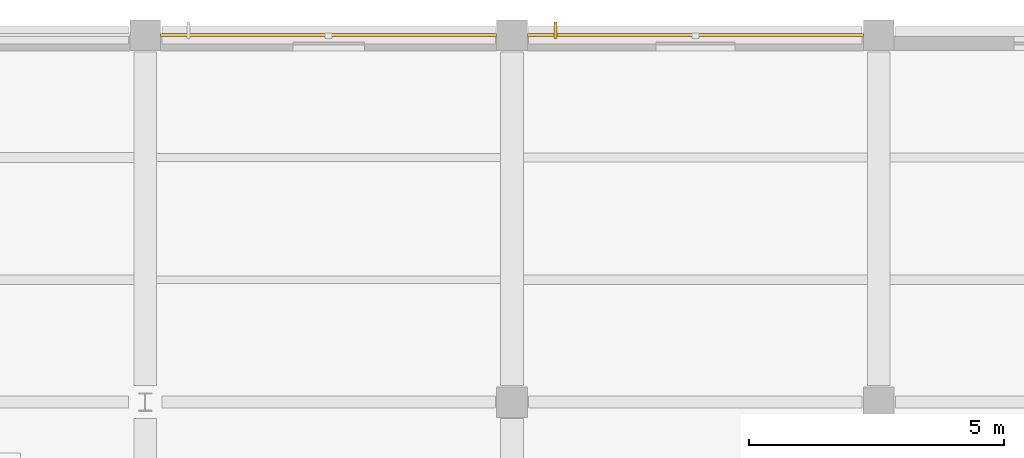
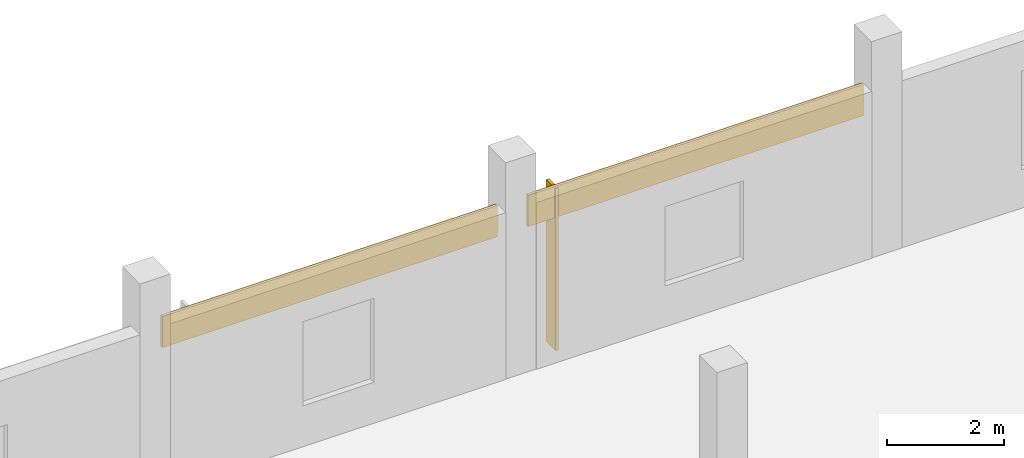
# One storey, part 118 of 123: 2 coverings, 1 shading device.
"""IFC4 building model written with IfcOpenShell, lengths in metres."""

import ifcopenshell
import ifcopenshell.guid

model = None  # the IFC model being written
_history = None  # IfcOwnerHistory: only IFC2X3 demands one
_inside = {}  # id of a spatial element -> (the spatial element, [elements in it])
_under = {}  # id of a project, library or spatial element -> (it, [spatial elements below it])
_declared = {}  # id of a project -> (the project, [libraries it declares])
_typed = {}  # id of a type object -> (the type object, [elements of that type])
_made_of = {}  # id of a material, layer set ... -> (it, [elements and type objects made of it])


def new_model(schema):
    """Start an empty IFC model of exactly this schema.

    Asked for "IFC4X3", IfcOpenShell would pick the latest addendum, in which some entities
    have other attributes; the version numbers below select the first issue.
    IFC2X3 requires an IfcOwnerHistory on every rooted entity: one is made here for all.
    """
    global model, _history
    if schema == "IFC4X3":
        model = ifcopenshell.file(schema_version=(4, 3, 0, 0))
    else:
        model = ifcopenshell.file(schema=schema)
    _inside.clear()
    _under.clear()
    _declared.clear()
    _typed.clear()
    _made_of.clear()
    _history = None
    if model.schema == "IFC2X3":
        org = make("IfcOrganization", Name="unknown")
        user = make(
            "IfcPersonAndOrganization",
            ThePerson=make("IfcPerson", FamilyName="unknown"),
            TheOrganization=org,
        )
        app = make(
            "IfcApplication",
            ApplicationDeveloper=org,
            Version="unknown",
            ApplicationFullName="unknown",
            ApplicationIdentifier="unknown",
        )
        _history = make(
            "IfcOwnerHistory",
            OwningUser=user,
            OwningApplication=app,
            ChangeAction="ADDED",
            CreationDate=0,
        )
    return model


def make(cls, **values):
    """One entity of the class cls with the attributes given. An attribute that is None is left unset."""
    return model.create_entity(
        cls, **{name: value for name, value in values.items() if value is not None}
    )


def rooted(cls, **values):
    """An entity with a GlobalId (a new one), such as an element, a storey or a relation."""
    return make(cls, GlobalId=ifcopenshell.guid.new(), OwnerHistory=_history, **values)


def si_unit(unit_type, name, prefix=None):
    """IfcSIUnit, for example si_unit("LENGTHUNIT", "METRE", prefix="MILLI")."""
    return make("IfcSIUnit", UnitType=unit_type, Prefix=prefix, Name=name)


def assignment(units):
    """IfcUnitAssignment: the units of a project."""
    return None if units is None else make("IfcUnitAssignment", Units=units)


def point(xyz):
    """IfcCartesianPoint."""
    return None if xyz is None else make("IfcCartesianPoint", Coordinates=xyz)


def direction(xyz):
    """IfcDirection."""
    return None if xyz is None else make("IfcDirection", DirectionRatios=xyz)


def frame(location, z_axis=None, x_axis=None):
    """IfcAxis2Placement3D, a coordinate frame: its origin and axes. An axis left out is left unset."""
    return make(
        "IfcAxis2Placement3D",
        Location=point(location),
        Axis=direction(z_axis),
        RefDirection=direction(x_axis),
    )


def frame_2d(location, x_axis=None):
    """IfcAxis2Placement2D, a coordinate frame in the plane: its origin and x axis."""
    return make(
        "IfcAxis2Placement2D", Location=point(location), RefDirection=direction(x_axis)
    )


def origin():
    """The frame at (0, 0, 0) with its axes left unset."""
    return frame((0.0, 0.0, 0.0))


def origin_2d():
    """The frame at (0, 0) in the plane with its x axis left unset."""
    return frame_2d((0.0, 0.0))


def place(relative_to, where):
    """IfcLocalPlacement: puts the frame where relative to a parent placement (None: the world)."""
    return make(
        "IfcLocalPlacement", PlacementRelTo=relative_to, RelativePlacement=where
    )


def context(
    kind, dimensions, precision=None, world=None, true_north=None, identifier=None
):
    """IfcGeometricRepresentationContext, for example the 3D "Model" context."""
    return make(
        "IfcGeometricRepresentationContext",
        ContextIdentifier=identifier,
        ContextType=kind,
        CoordinateSpaceDimension=dimensions,
        Precision=precision,
        WorldCoordinateSystem=world,
        TrueNorth=true_north,
    )


def subcontext(parent, identifier, kind, view, scale=None):
    """IfcGeometricRepresentationSubContext, for example "Body" below "Model"."""
    return make(
        "IfcGeometricRepresentationSubContext",
        ContextIdentifier=identifier,
        ContextType=kind,
        ParentContext=parent,
        TargetScale=scale,
        TargetView=view,
    )


def project(units=None, contexts=None):
    """IfcProject with its units and contexts."""
    return rooted(
        "IfcProject",
        Name="project",
        RepresentationContexts=contexts,
        UnitsInContext=assignment(units),
    )


def spatial(cls, under=None, at=None, **own):
    """A site, building, storey or space (cls), placed at a placement, below another one or the project."""
    s = rooted(cls, ObjectPlacement=at, **own)
    if under is not None:
        _under.setdefault(under.id(), (under, []))[1].append(s)
    return s


def profile(cls, at=None, kind="AREA", **sizes):
    """A parametric profile (cls). Its sizes go by their IFC names, for example OverallWidth=200.0."""
    return make(cls, ProfileType=kind, Position=at, **sizes)


def rectangle(**sizes):
    """IfcRectangleProfileDef."""
    return profile("IfcRectangleProfileDef", **sizes)


def extrude(swept, where, along, depth):
    """IfcExtrudedAreaSolid: the profile swept, set in the frame where, extruded along a direction by depth."""
    return make(
        "IfcExtrudedAreaSolid",
        SweptArea=swept,
        Position=where,
        ExtrudedDirection=direction(along),
        Depth=depth,
    )


def shape(context_of_items, identifier, shape_type, items):
    """IfcShapeRepresentation: the items that make up one representation, for example the "Body"."""
    return make(
        "IfcShapeRepresentation",
        ContextOfItems=context_of_items,
        RepresentationIdentifier=identifier,
        RepresentationType=shape_type,
        Items=items,
    )


def material(Name=None, Category=None):
    """IfcMaterial."""
    return make("IfcMaterial", Name=Name, Category=Category)


def layer(
    of_material, thickness, ventilated=None, Name=None, Category=None, Priority=None
):
    """IfcMaterialLayer: one layer of a wall or slab, of a material (None: an air gap)."""
    return make(
        "IfcMaterialLayer",
        Material=of_material,
        LayerThickness=thickness,
        IsVentilated=ventilated,
        Name=Name,
        Category=Category,
        Priority=Priority,
    )


def layer_set(layers, Name=None):
    """IfcMaterialLayerSet."""
    return make("IfcMaterialLayerSet", MaterialLayers=layers, LayerSetName=Name)


def made_of(thing, what):
    """Note that an element or type object is made of a material, layer set ...; save() writes the relation."""
    if what is not None:
        _made_of.setdefault(what.id(), (what, []))[1].append(thing)
    return thing


def type_object(cls, material=None, **own):
    """A type object (cls), such as IfcWallType, which elements share."""
    return made_of(rooted(cls, **own), material)


def element(
    cls,
    number,
    at=None,
    inside=None,
    cuts=None,
    type_object=None,
    material=None,
    context=None,
    identifier="Body",
    shape_type=None,
    held_by="IfcProductDefinitionShape",
    body=None,
    shapes=None,
    **own,
):
    """One element of the class cls, such as IfcWall. Its Tag is "e" and its number.

    at: its placement. inside: the storey or other place that contains it. cuts: it is an
    opening in that element (IfcRelVoidsElement). A single representation is given by context,
    identifier, shape_type and body (its items); several are given by shapes. held_by: the class
    of the entity that holds the representations. save() writes the other relations.
    """
    e = rooted(cls, Tag="e%d" % number, ObjectPlacement=at, **own)
    if body is not None:
        shapes = [shape(context, identifier, shape_type, body)]
    if shapes is not None:
        e.Representation = make(held_by, Representations=shapes)
    if inside is not None:
        _inside.setdefault(inside.id(), (inside, []))[1].append(e)
    if cuts is not None:
        rooted(
            "IfcRelVoidsElement", RelatingBuildingElement=cuts, RelatedOpeningElement=e
        )
    if type_object is not None:
        _typed.setdefault(type_object.id(), (type_object, []))[1].append(e)
    return made_of(e, material)


def aggregate(whole, parts):
    """IfcRelAggregates: a whole, such as a stair, and the parts it consists of."""
    return rooted("IfcRelAggregates", RelatingObject=whole, RelatedObjects=parts)


def save(model, path):
    """Write the relations noted so far, then the file.

    IfcRelAggregates (storeys below a building ...), IfcRelContainedInSpatialStructure (elements
    in a storey), IfcRelDefinesByType, IfcRelAssociatesMaterial and IfcRelDeclares: one each for
    every whole, place, type object, material and project.
    """
    for whole, parts in _under.values():
        aggregate(whole, parts)
    for where, things in _inside.values():
        rooted(
            "IfcRelContainedInSpatialStructure",
            RelatedElements=things,
            RelatingStructure=where,
        )
    for kind, things in _typed.values():
        rooted("IfcRelDefinesByType", RelatedObjects=things, RelatingType=kind)
    for what, things in _made_of.values():
        rooted("IfcRelAssociatesMaterial", RelatedObjects=things, RelatingMaterial=what)
    for by, libraries in _declared.values():
        rooted("IfcRelDeclares", RelatingContext=by, RelatedDefinitions=libraries)
    model.write(path)


model = new_model("IFC4")

# Units and contexts
model_context = context("Model", 3, precision=1e-05, world=origin(), true_north=direction((0.0, 1.0)))
body_context = subcontext(model_context, "Body", "Model", "MODEL_VIEW")
ifc_project = project(units=[si_unit("LENGTHUNIT", "METRE"), si_unit("AREAUNIT", "SQUARE_METRE"), si_unit("VOLUMEUNIT", "CUBIC_METRE"), si_unit("PLANEANGLEUNIT", "RADIAN"), si_unit("MASSUNIT", "GRAM", prefix="KILO")], contexts=[model_context])

# Site, building, storey
site_placement = place(None, origin())
site = spatial("IfcSite", under=ifc_project, at=site_placement, CompositionType="ELEMENT")
building_placement = place(site_placement, origin())
building = spatial("IfcBuilding", under=site, at=building_placement, Name="Kalmorath City Hall", CompositionType="ELEMENT")
storey_placement = place(building_placement, frame((0.0, 0.0, 10.199951171875)))
storey = spatial("IfcBuildingStorey", under=building, at=storey_placement, Name="L02", CompositionType="ELEMENT", Elevation=10.199951171875)

# Shading device
ifc_material_1 = material(Name="Bronze anodised aluminium", Category="aluminium")
ifc_layer_1 = layer(ifc_material_1, 0.06005859375)
ifc_layer_set_1 = layer_set([ifc_layer_1], Name="Bronze anodised aluminium")
shading_device_type = type_object("IfcShadingDeviceType", Name="Bronze vertical solar fin 320", PredefinedType="USERDEFINED", material=ifc_layer_set_1)
shading_device_placement = place(storey_placement, frame((116.051025390625, 115.300048828125, 0.050048828125), z_axis=(0.0, 0.0, 1.0), x_axis=(1.0, 0.0, 0.0)))
element("IfcShadingDevice", 1, at=shading_device_placement, inside=storey, type_object=shading_device_type, Name="L02 bronze solar fin #237", ObjectType="FIN", PredefinedType="USERDEFINED", context=body_context, shape_type="SweptSolid", body=[
    extrude(rectangle(XDim=0.06005859375, YDim=0.320068359375, at=origin_2d()), origin(), (0.0, 0.0, 1.0), 3.37109375),
])

# Coverings
ifc_material_2 = material(Name="Volcanic basalt stone cladding", Category="masonry")
ifc_layer_2 = layer(ifc_material_2, 0.06005859375)
ifc_layer_set_2 = layer_set([ifc_layer_2], Name="Volcanic basalt stone cladding")
covering_type = type_object("IfcCoveringType", Name="Volcanic basalt stone rainscreen cladding", PredefinedType="CLADDING", material=ifc_layer_set_2)
for number, where, z_axis, x_axis, name in (
    (2, (111.60009765625, 115.205078125, 2.796142578125), (0.0, 0.0, 1.0), (1.0, 0.0, 0.0), "L02 basalt spandrel cladding #50"),
    (3, (118.800048828125, 115.205078125, 2.796142578125), (0.0, 0.0, 1.0), (1.0, 0.0, 0.0), "L02 basalt spandrel cladding #51"),
):
    element("IfcCovering", number, at=place(storey_placement, frame(where, z_axis=z_axis, x_axis=x_axis)), inside=storey, type_object=covering_type, Name=name, PredefinedType="CLADDING", context=body_context, shape_type="SweptSolid", body=[
        extrude(rectangle(XDim=6.597900390625, YDim=0.06005859375, at=origin_2d()), origin(), (0.0, 0.0, 1.0), 0.64990234375),
    ])

save(model, "model.ifc")
